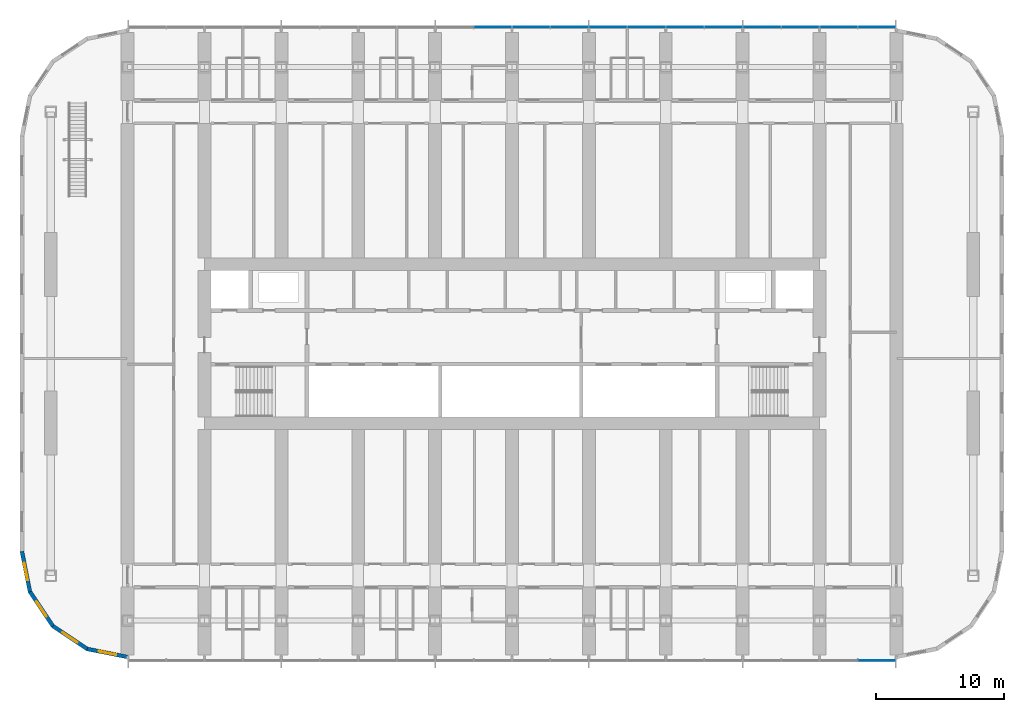
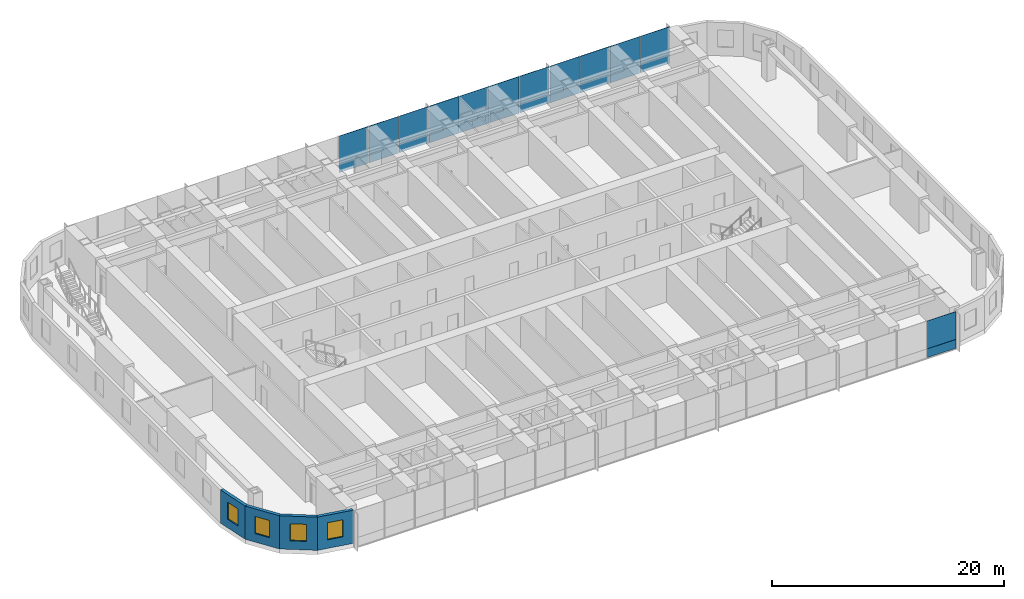
# One storey, part 11 of 26: 24 plates, 4 walls, 4 windows, 4 openings, 2 elements without a shape of their own.
"""IFC4 building model written with IfcOpenShell, lengths in metres."""

from ifc_helpers import new_model, si_unit, direction, frame, frame_2d, origin, origin_2d, place, context, subcontext, project, spatial, polyline, rectangle, outline, extrude, material, layer, layer_set, type_object, element, fill, aggregate, save


model = new_model("IFC4")

# Units and contexts
model_context = context("Model", 3, precision=1e-05, world=origin(), true_north=direction((0.0, 1.0)))
body_context = subcontext(model_context, "Body", "Model", "MODEL_VIEW")
ifc_project = project(units=[si_unit("LENGTHUNIT", "METRE"), si_unit("AREAUNIT", "SQUARE_METRE"), si_unit("VOLUMEUNIT", "CUBIC_METRE"), si_unit("PLANEANGLEUNIT", "RADIAN"), si_unit("MASSUNIT", "GRAM", prefix="KILO")], contexts=[model_context])

# Site, building, storey
site_placement = place(None, origin())
site = spatial("IfcSite", under=ifc_project, at=site_placement, CompositionType="ELEMENT")
building_placement = place(site_placement, origin())
building = spatial("IfcBuilding", under=site, at=building_placement, Name="Orbita Commons", CompositionType="ELEMENT")
storey_placement = place(building_placement, frame((0.0, 0.0, 53.949951171875)))
storey = spatial("IfcBuildingStorey", under=building, at=storey_placement, Name="L13", CompositionType="ELEMENT", Elevation=53.949951171875)

# Curtain wall, plate
ifc_material_1 = material(Name="Anodised aluminium frame, pale silver", Category="aluminium")
curtain_wall_type = type_object("IfcCurtainWallType", Name="Unitised curtain wall CW-T, vision and spandrel", PredefinedType="NOTDEFINED", material=ifc_material_1)
curtain_wall_1_placement = place(storey_placement, origin())
curtain_wall_1 = element("IfcCurtainWall", 1, at=curtain_wall_1_placement, inside=storey, type_object=curtain_wall_type, Name="Curtain wall south L13", PredefinedType="NOTDEFINED")
ifc_material_2 = material(Name="Anodised aluminium sheet on mineral wool", Category="aluminium")
ifc_layer_1 = layer(ifc_material_2, 0.050048828125)
ifc_layer_set_1 = layer_set([ifc_layer_1], Name="Anodised aluminium sheet on mineral wool")
plate_type_1 = type_object("IfcPlateType", Name="Spandrel panel, pale aluminium over insulation 50", PredefinedType="CURTAIN_PANEL", material=ifc_layer_set_1)
plate_1_placement = place(storey_placement, frame((70.47998046875, 7.2900390625, -0.35009765625), z_axis=(0.0, 0.0, 1.0), x_axis=(1.0, 0.0, 0.0)))
plate_1 = element("IfcPlate", 2, at=plate_1_placement, type_object=plate_type_1, Name="Panel 20.1 CW-L13-S", PredefinedType="CURTAIN_PANEL", context=body_context, shape_type="SweptSolid", body=[
    extrude(rectangle(XDim=2.8798828125, YDim=0.050048828125, at=origin_2d()), origin(), (0.0, 0.0, 1.0), 0.927001953125),
])

# Curtain wall, plates
curtain_wall_2_placement = place(storey_placement, origin())
curtain_wall_2 = element("IfcCurtainWall", 3, at=curtain_wall_2_placement, inside=storey, type_object=curtain_wall_type, Name="Curtain wall north L13", PredefinedType="NOTDEFINED")
plate_2_placement = place(storey_placement, frame((70.47998046875, 56.7099609375, -0.35009765625), z_axis=(0.0, 0.0, 1.0), x_axis=(-1.0, 0.0, 0.0)))
plate_2 = element("IfcPlate", 4, at=plate_2_placement, type_object=plate_type_1, Name="Panel 1.1 CW-L13-N", PredefinedType="CURTAIN_PANEL", context=body_context, shape_type="SweptSolid", body=[
    extrude(rectangle(XDim=2.8798828125, YDim=0.050048828125, at=origin_2d()), origin(), (0.0, 0.0, 1.0), 0.927001953125),
])
plate_3_placement = place(storey_placement, frame((67.5, 56.7099609375, -0.35009765625), z_axis=(0.0, 0.0, 1.0), x_axis=(-1.0, 0.0, 0.0)))
plate_3 = element("IfcPlate", 5, at=plate_3_placement, type_object=plate_type_1, Name="Panel 2.1 CW-L13-N", PredefinedType="CURTAIN_PANEL", context=body_context, shape_type="SweptSolid", body=[
    extrude(rectangle(XDim=2.919921875, YDim=0.050048828125, at=origin_2d()), origin(), (0.0, 0.0, 1.0), 0.927001953125),
])
plate_4_placement = place(storey_placement, frame((64.5, 56.7099609375, -0.35009765625), z_axis=(0.0, 0.0, 1.0), x_axis=(-1.0, 0.0, 0.0)))
plate_4 = element("IfcPlate", 6, at=plate_4_placement, type_object=plate_type_1, Name="Panel 3.1 CW-L13-N", PredefinedType="CURTAIN_PANEL", context=body_context, shape_type="SweptSolid", body=[
    extrude(rectangle(XDim=2.919921875, YDim=0.050048828125, at=origin_2d()), origin(), (0.0, 0.0, 1.0), 0.927001953125),
])
plate_5_placement = place(storey_placement, frame((61.5, 56.7099609375, -0.35009765625), z_axis=(0.0, 0.0, 1.0), x_axis=(-1.0, 0.0, 0.0)))
plate_5 = element("IfcPlate", 7, at=plate_5_placement, type_object=plate_type_1, Name="Panel 4.1 CW-L13-N", PredefinedType="CURTAIN_PANEL", context=body_context, shape_type="SweptSolid", body=[
    extrude(rectangle(XDim=2.919921875, YDim=0.050048828125, at=origin_2d()), origin(), (0.0, 0.0, 1.0), 0.927001953125),
])
plate_6_placement = place(storey_placement, frame((58.5, 56.7099609375, -0.35009765625), z_axis=(0.0, 0.0, 1.0), x_axis=(-1.0, 0.0, 0.0)))
plate_6 = element("IfcPlate", 8, at=plate_6_placement, type_object=plate_type_1, Name="Panel 5.1 CW-L13-N", PredefinedType="CURTAIN_PANEL", context=body_context, shape_type="SweptSolid", body=[
    extrude(rectangle(XDim=2.919921875, YDim=0.050048828125, at=origin_2d()), origin(), (0.0, 0.0, 1.0), 0.927001953125),
])
plate_7_placement = place(storey_placement, frame((55.5, 56.7099609375, -0.35009765625), z_axis=(0.0, 0.0, 1.0), x_axis=(-1.0, 0.0, 0.0)))
plate_7 = element("IfcPlate", 9, at=plate_7_placement, type_object=plate_type_1, Name="Panel 6.1 CW-L13-N", PredefinedType="CURTAIN_PANEL", context=body_context, shape_type="SweptSolid", body=[
    extrude(rectangle(XDim=2.919921875, YDim=0.050048828125, at=origin_2d()), origin(), (0.0, 0.0, 1.0), 0.927001953125),
])
plate_8_placement = place(storey_placement, frame((52.5, 56.7099609375, -0.35009765625), z_axis=(0.0, 0.0, 1.0), x_axis=(-1.0, 0.0, 0.0)))
plate_8 = element("IfcPlate", 10, at=plate_8_placement, type_object=plate_type_1, Name="Panel 7.1 CW-L13-N", PredefinedType="CURTAIN_PANEL", context=body_context, shape_type="SweptSolid", body=[
    extrude(rectangle(XDim=2.919921875, YDim=0.050048828125, at=origin_2d()), origin(), (0.0, 0.0, 1.0), 0.927001953125),
])
plate_9_placement = place(storey_placement, frame((49.5, 56.7099609375, -0.35009765625), z_axis=(0.0, 0.0, 1.0), x_axis=(-1.0, 0.0, 0.0)))
plate_9 = element("IfcPlate", 11, at=plate_9_placement, type_object=plate_type_1, Name="Panel 8.1 CW-L13-N", PredefinedType="CURTAIN_PANEL", context=body_context, shape_type="SweptSolid", body=[
    extrude(rectangle(XDim=2.919921875, YDim=0.050048828125, at=origin_2d()), origin(), (0.0, 0.0, 1.0), 0.927001953125),
])
plate_10_placement = place(storey_placement, frame((46.5, 56.7099609375, -0.35009765625), z_axis=(0.0, 0.0, 1.0), x_axis=(-1.0, 0.0, 0.0)))
plate_10 = element("IfcPlate", 12, at=plate_10_placement, type_object=plate_type_1, Name="Panel 9.1 CW-L13-N", PredefinedType="CURTAIN_PANEL", context=body_context, shape_type="SweptSolid", body=[
    extrude(rectangle(XDim=2.919921875, YDim=0.050048828125, at=origin_2d()), origin(), (0.0, 0.0, 1.0), 0.927001953125),
])
plate_11_placement = place(storey_placement, frame((43.5, 56.7099609375, -0.35009765625), z_axis=(0.0, 0.0, 1.0), x_axis=(-1.0, 0.0, 0.0)))
plate_11 = element("IfcPlate", 13, at=plate_11_placement, type_object=plate_type_1, Name="Panel 10.1 CW-L13-N", PredefinedType="CURTAIN_PANEL", context=body_context, shape_type="SweptSolid", body=[
    extrude(rectangle(XDim=2.919921875, YDim=0.050048828125, at=origin_2d()), origin(), (0.0, 0.0, 1.0), 0.927001953125),
])
plate_12_placement = place(storey_placement, frame((40.5, 56.7099609375, -0.35009765625), z_axis=(0.0, 0.0, 1.0), x_axis=(-1.0, 0.0, 0.0)))
plate_12 = element("IfcPlate", 14, at=plate_12_placement, type_object=plate_type_1, Name="Panel 11.1 CW-L13-N", PredefinedType="CURTAIN_PANEL", context=body_context, shape_type="SweptSolid", body=[
    extrude(rectangle(XDim=2.919921875, YDim=0.050048828125, at=origin_2d()), origin(), (0.0, 0.0, 1.0), 0.927001953125),
])

# Plate
ifc_material_3 = material(Name="Clear double glazing", Category="glass")
ifc_layer_2 = layer(ifc_material_3, 0.031982421875)
ifc_layer_set_2 = layer_set([ifc_layer_2], Name="Clear double glazing")
plate_type_2 = type_object("IfcPlateType", Name="Vision panel, clear double glazing 32", PredefinedType="CURTAIN_PANEL", material=ifc_layer_set_2)
plate_13_placement = place(storey_placement, frame((70.47998046875, 7.2900390625, 0.5771484375), z_axis=(0.0, 0.0, 1.0), x_axis=(1.0, 0.0, 0.0)))
plate_13 = element("IfcPlate", 15, at=plate_13_placement, type_object=plate_type_2, Name="Panel 20.2 CW-L13-S", PredefinedType="CURTAIN_PANEL", context=body_context, shape_type="SweptSolid", body=[
    extrude(rectangle(XDim=2.8798828125, YDim=0.031982421875, at=origin_2d()), origin(), (0.0, 0.0, 1.0), 2.923095703125),
])

aggregate(curtain_wall_1, [plate_1, plate_13])

plate_14_placement = place(storey_placement, frame((70.47998046875, 56.7099609375, 0.5771484375), z_axis=(0.0, 0.0, 1.0), x_axis=(-1.0, 0.0, 0.0)))
plate_14 = element("IfcPlate", 16, at=plate_14_placement, type_object=plate_type_2, Name="Panel 1.2 CW-L13-N", PredefinedType="CURTAIN_PANEL", context=body_context, shape_type="SweptSolid", body=[
    extrude(rectangle(XDim=2.8798828125, YDim=0.031982421875, at=origin_2d()), origin(), (0.0, 0.0, 1.0), 2.923095703125),
])

plate_15_placement = place(storey_placement, frame((67.5, 56.7099609375, 0.5771484375), z_axis=(0.0, 0.0, 1.0), x_axis=(-1.0, 0.0, 0.0)))
plate_15 = element("IfcPlate", 17, at=plate_15_placement, type_object=plate_type_2, Name="Panel 2.2 CW-L13-N", PredefinedType="CURTAIN_PANEL", context=body_context, shape_type="SweptSolid", body=[
    extrude(rectangle(XDim=2.919921875, YDim=0.031982421875, at=origin_2d()), origin(), (0.0, 0.0, 1.0), 2.923095703125),
])

plate_16_placement = place(storey_placement, frame((64.5, 56.7099609375, 0.5771484375), z_axis=(0.0, 0.0, 1.0), x_axis=(-1.0, 0.0, 0.0)))
plate_16 = element("IfcPlate", 18, at=plate_16_placement, type_object=plate_type_2, Name="Panel 3.2 CW-L13-N", PredefinedType="CURTAIN_PANEL", context=body_context, shape_type="SweptSolid", body=[
    extrude(rectangle(XDim=2.919921875, YDim=0.031982421875, at=origin_2d()), origin(), (0.0, 0.0, 1.0), 2.923095703125),
])

plate_17_placement = place(storey_placement, frame((61.5, 56.7099609375, 0.5771484375), z_axis=(0.0, 0.0, 1.0), x_axis=(-1.0, 0.0, 0.0)))
plate_17 = element("IfcPlate", 19, at=plate_17_placement, type_object=plate_type_2, Name="Panel 4.2 CW-L13-N", PredefinedType="CURTAIN_PANEL", context=body_context, shape_type="SweptSolid", body=[
    extrude(rectangle(XDim=2.919921875, YDim=0.031982421875, at=origin_2d()), origin(), (0.0, 0.0, 1.0), 2.923095703125),
])

plate_18_placement = place(storey_placement, frame((58.5, 56.7099609375, 0.5771484375), z_axis=(0.0, 0.0, 1.0), x_axis=(-1.0, 0.0, 0.0)))
plate_18 = element("IfcPlate", 20, at=plate_18_placement, type_object=plate_type_2, Name="Panel 5.2 CW-L13-N", PredefinedType="CURTAIN_PANEL", context=body_context, shape_type="SweptSolid", body=[
    extrude(rectangle(XDim=2.919921875, YDim=0.031982421875, at=origin_2d()), origin(), (0.0, 0.0, 1.0), 2.923095703125),
])

plate_19_placement = place(storey_placement, frame((55.5, 56.7099609375, 0.5771484375), z_axis=(0.0, 0.0, 1.0), x_axis=(-1.0, 0.0, 0.0)))
plate_19 = element("IfcPlate", 21, at=plate_19_placement, type_object=plate_type_2, Name="Panel 6.2 CW-L13-N", PredefinedType="CURTAIN_PANEL", context=body_context, shape_type="SweptSolid", body=[
    extrude(rectangle(XDim=2.919921875, YDim=0.031982421875, at=origin_2d()), origin(), (0.0, 0.0, 1.0), 2.923095703125),
])

plate_20_placement = place(storey_placement, frame((52.5, 56.7099609375, 0.5771484375), z_axis=(0.0, 0.0, 1.0), x_axis=(-1.0, 0.0, 0.0)))
plate_20 = element("IfcPlate", 22, at=plate_20_placement, type_object=plate_type_2, Name="Panel 7.2 CW-L13-N", PredefinedType="CURTAIN_PANEL", context=body_context, shape_type="SweptSolid", body=[
    extrude(rectangle(XDim=2.919921875, YDim=0.031982421875, at=origin_2d()), origin(), (0.0, 0.0, 1.0), 2.923095703125),
])

plate_21_placement = place(storey_placement, frame((49.5, 56.7099609375, 0.5771484375), z_axis=(0.0, 0.0, 1.0), x_axis=(-1.0, 0.0, 0.0)))
plate_21 = element("IfcPlate", 23, at=plate_21_placement, type_object=plate_type_2, Name="Panel 8.2 CW-L13-N", PredefinedType="CURTAIN_PANEL", context=body_context, shape_type="SweptSolid", body=[
    extrude(rectangle(XDim=2.919921875, YDim=0.031982421875, at=origin_2d()), origin(), (0.0, 0.0, 1.0), 2.923095703125),
])

plate_22_placement = place(storey_placement, frame((46.5, 56.7099609375, 0.5771484375), z_axis=(0.0, 0.0, 1.0), x_axis=(-1.0, 0.0, 0.0)))
plate_22 = element("IfcPlate", 24, at=plate_22_placement, type_object=plate_type_2, Name="Panel 9.2 CW-L13-N", PredefinedType="CURTAIN_PANEL", context=body_context, shape_type="SweptSolid", body=[
    extrude(rectangle(XDim=2.919921875, YDim=0.031982421875, at=origin_2d()), origin(), (0.0, 0.0, 1.0), 2.923095703125),
])

plate_23_placement = place(storey_placement, frame((43.5, 56.7099609375, 0.5771484375), z_axis=(0.0, 0.0, 1.0), x_axis=(-1.0, 0.0, 0.0)))
plate_23 = element("IfcPlate", 25, at=plate_23_placement, type_object=plate_type_2, Name="Panel 10.2 CW-L13-N", PredefinedType="CURTAIN_PANEL", context=body_context, shape_type="SweptSolid", body=[
    extrude(rectangle(XDim=2.919921875, YDim=0.031982421875, at=origin_2d()), origin(), (0.0, 0.0, 1.0), 2.923095703125),
])

plate_24_placement = place(storey_placement, frame((40.5, 56.7099609375, 0.5771484375), z_axis=(0.0, 0.0, 1.0), x_axis=(-1.0, 0.0, 0.0)))
plate_24 = element("IfcPlate", 26, at=plate_24_placement, type_object=plate_type_2, Name="Panel 11.2 CW-L13-N", PredefinedType="CURTAIN_PANEL", context=body_context, shape_type="SweptSolid", body=[
    extrude(rectangle(XDim=2.919921875, YDim=0.031982421875, at=origin_2d()), origin(), (0.0, 0.0, 1.0), 2.923095703125),
])

aggregate(curtain_wall_2, [plate_2, plate_14, plate_3, plate_15, plate_4, plate_16, plate_5, plate_17, plate_6, plate_18, plate_7, plate_19, plate_8, plate_20, plate_9, plate_21, plate_10, plate_22, plate_11, plate_23, plate_12, plate_24])

# Wall, opening, window
ifc_material_4 = material(Name="Precast concrete C40/50, white board-marked finish", Category="concrete")
ifc_layer_3 = layer(ifc_material_4, 0.300048828125)
ifc_layer_set_3 = layer_set([ifc_layer_3], Name="Precast concrete C40/50, white board-marked finish")
wall_type = type_object("IfcWallType", Name="Precast concrete end shield 300", PredefinedType="SOLIDWALL", material=ifc_layer_set_3)
wall_1_placement = place(storey_placement, frame((3.75, 15.800048828125, 0.0), z_axis=(0.0, 0.0, 1.0), x_axis=(0.195065901187, -0.980790137692, 0.0)))
wall_1 = element("IfcWall", 27, at=wall_1_placement, inside=storey, type_object=wall_type, Name="End shield SW chord 1 L13", PredefinedType="SOLIDWALL", context=body_context, shape_type="SweptSolid", body=[
    extrude(outline(polyline([(-0.014892578125, -0.14990234375), (3.248779296875, -0.14990234375), (3.189208984375, 0.14990234375), (0.014892578125, 0.14990234375), (-0.014892578125, -0.14990234375)])), origin(), (0.0, 0.0, 1.0), 3.5),
])
opening_1_placement = place(wall_1_placement, frame((0.909423828125, 0.0, 0.89990234375)))
opening_1 = element("IfcOpeningElement", 28, at=opening_1_placement, cuts=wall_1, Name="Opening W02", PredefinedType="OPENING", context=body_context, shape_type="SweptSolid", body=[
    extrude(rectangle(XDim=1.39990234375, YDim=1.800048828125, at=frame_2d((0.699951171875, 0.89990234375))), frame((0.0, 0.159912109375, 0.0), z_axis=(0.0, -1.0, 0.0), x_axis=(1.0, 0.0, 0.0)), (0.0, 0.0, 1.0), 0.320068359375),
])
ifc_material_5 = material(Name="Aluminium frame, clear double glazing", Category="aluminium")
window_type = type_object("IfcWindowType", Name="Deep-set window 1400x1800", PartitioningType="SINGLE_PANEL", PredefinedType="WINDOW", material=ifc_material_5)
window_1_placement = place(opening_1_placement, origin())
window_1 = element("IfcWindow", 29, at=window_1_placement, inside=storey, type_object=window_type, Name="Window L13-SW0", OverallHeight=1.800048828125, OverallWidth=1.39990234375, PartitioningType="SINGLE_PANEL", PredefinedType="WINDOW", context=body_context, shape_type="SweptSolid", body=[
    extrude(rectangle(XDim=1.39990234375, YDim=1.800048828125, at=frame_2d((0.699951171875, 0.89990234375))), frame((0.0, 0.030029296875, 0.0), z_axis=(0.0, -1.0, 0.0), x_axis=(1.0, 0.0, 0.0)), (0.0, 0.0, 1.0), 0.06005859375),
])
fill(opening_1, window_1)

wall_2_placement = place(storey_placement, frame((4.3779296875, 12.642822265625, 0.0), z_axis=(0.0, 0.0, 1.0), x_axis=(0.555609954424, -0.831443069936, 0.0)))
wall_2 = element("IfcWall", 30, at=wall_2_placement, inside=storey, type_object=wall_type, Name="End shield SW chord 2 L13", PredefinedType="SOLIDWALL", context=body_context, shape_type="SweptSolid", body=[
    extrude(outline(polyline([(-0.02978515625, -0.14990234375), (3.2490234375, -0.14990234375), (3.189453125, 0.14990234375), (0.02978515625, 0.14990234375), (-0.02978515625, -0.14990234375)])), origin(), (0.0, 0.0, 1.0), 3.5),
])
opening_2_placement = place(wall_2_placement, frame((0.909423828125, 0.0, 0.89990234375)))
opening_2 = element("IfcOpeningElement", 31, at=opening_2_placement, cuts=wall_2, Name="Opening W02", PredefinedType="OPENING", context=body_context, shape_type="SweptSolid", body=[
    extrude(rectangle(XDim=1.39990234375, YDim=1.800048828125, at=frame_2d((0.699951171875, 0.89990234375))), frame((0.0, 0.159912109375, 0.0), z_axis=(0.0, -1.0, 0.0), x_axis=(1.0, 0.0, 0.0)), (0.0, 0.0, 1.0), 0.320068359375),
])
window_2_placement = place(opening_2_placement, origin())
window_2 = element("IfcWindow", 32, at=window_2_placement, inside=storey, type_object=window_type, Name="Window L13-SW1", OverallHeight=1.800048828125, OverallWidth=1.39990234375, PartitioningType="SINGLE_PANEL", PredefinedType="WINDOW", context=body_context, shape_type="SweptSolid", body=[
    extrude(rectangle(XDim=1.39990234375, YDim=1.800048828125, at=frame_2d((0.699951171875, 0.89990234375))), frame((0.0, 0.030029296875, 0.0), z_axis=(0.0, -1.0, 0.0), x_axis=(1.0, 0.0, 0.0)), (0.0, 0.0, 1.0), 0.06005859375),
])
fill(opening_2, window_2)

wall_3_placement = place(storey_placement, frame((6.16650390625, 9.96630859375, 0.0), z_axis=(0.0, 0.0, 1.0), x_axis=(0.831478105043, -0.555557522525, 0.0)))
wall_3 = element("IfcWall", 33, at=wall_3_placement, inside=storey, type_object=wall_type, Name="End shield SW chord 3 L13", PredefinedType="SOLIDWALL", context=body_context, shape_type="SweptSolid", body=[
    extrude(outline(polyline([(-0.02978515625, -0.14990234375), (3.248779296875, -0.14990234375), (3.189208984375, 0.14990234375), (0.02978515625, 0.14990234375), (-0.02978515625, -0.14990234375)])), origin(), (0.0, 0.0, 1.0), 3.5),
])
opening_3_placement = place(wall_3_placement, frame((0.909423828125, 0.0, 0.89990234375)))
opening_3 = element("IfcOpeningElement", 34, at=opening_3_placement, cuts=wall_3, Name="Opening W02", PredefinedType="OPENING", context=body_context, shape_type="SweptSolid", body=[
    extrude(rectangle(XDim=1.39990234375, YDim=1.800048828125, at=frame_2d((0.699951171875, 0.89990234375))), frame((0.0, 0.159912109375, 0.0), z_axis=(0.0, -1.0, 0.0), x_axis=(1.0, 0.0, 0.0)), (0.0, 0.0, 1.0), 0.320068359375),
])
window_3_placement = place(opening_3_placement, origin())
window_3 = element("IfcWindow", 35, at=window_3_placement, inside=storey, type_object=window_type, Name="Window L13-SW2", OverallHeight=1.800048828125, OverallWidth=1.39990234375, PartitioningType="SINGLE_PANEL", PredefinedType="WINDOW", context=body_context, shape_type="SweptSolid", body=[
    extrude(rectangle(XDim=1.39990234375, YDim=1.800048828125, at=frame_2d((0.699951171875, 0.89990234375))), frame((0.0, 0.030029296875, 0.0), z_axis=(0.0, -1.0, 0.0), x_axis=(1.0, 0.0, 0.0)), (0.0, 0.0, 1.0), 0.06005859375),
])
fill(opening_3, window_3)

wall_4_placement = place(storey_placement, frame((8.843017578125, 8.177978515625, 0.0), z_axis=(0.0, 0.0, 1.0), x_axis=(0.980787251524, -0.195080412259, 0.0)))
wall_4 = element("IfcWall", 36, at=wall_4_placement, inside=storey, type_object=wall_type, Name="End shield SW chord 4 L13", PredefinedType="SOLIDWALL", context=body_context, shape_type="SweptSolid", body=[
    extrude(outline(polyline([(-0.02978515625, -0.14990234375), (3.24853515625, -0.14990234375), (3.18896484375, 0.14990234375), (0.02978515625, 0.14990234375), (-0.02978515625, -0.14990234375)])), origin(), (0.0, 0.0, 1.0), 3.5),
])
opening_4_placement = place(wall_4_placement, frame((0.909423828125, 0.0, 0.89990234375)))
opening_4 = element("IfcOpeningElement", 37, at=opening_4_placement, cuts=wall_4, Name="Opening W02", PredefinedType="OPENING", context=body_context, shape_type="SweptSolid", body=[
    extrude(rectangle(XDim=1.39990234375, YDim=1.800048828125, at=frame_2d((0.699951171875, 0.89990234375))), frame((0.0, 0.159912109375, 0.0), z_axis=(0.0, -1.0, 0.0), x_axis=(1.0, 0.0, 0.0)), (0.0, 0.0, 1.0), 0.320068359375),
])
window_4_placement = place(opening_4_placement, origin())
window_4 = element("IfcWindow", 38, at=window_4_placement, inside=storey, type_object=window_type, Name="Window L13-SW3", OverallHeight=1.800048828125, OverallWidth=1.39990234375, PartitioningType="SINGLE_PANEL", PredefinedType="WINDOW", context=body_context, shape_type="SweptSolid", body=[
    extrude(rectangle(XDim=1.39990234375, YDim=1.800048828125, at=frame_2d((0.699951171875, 0.89990234375))), frame((0.0, 0.030029296875, 0.0), z_axis=(0.0, -1.0, 0.0), x_axis=(1.0, 0.0, 0.0)), (0.0, 0.0, 1.0), 0.06005859375),
])
fill(opening_4, window_4)

save(model, "model.ifc")
